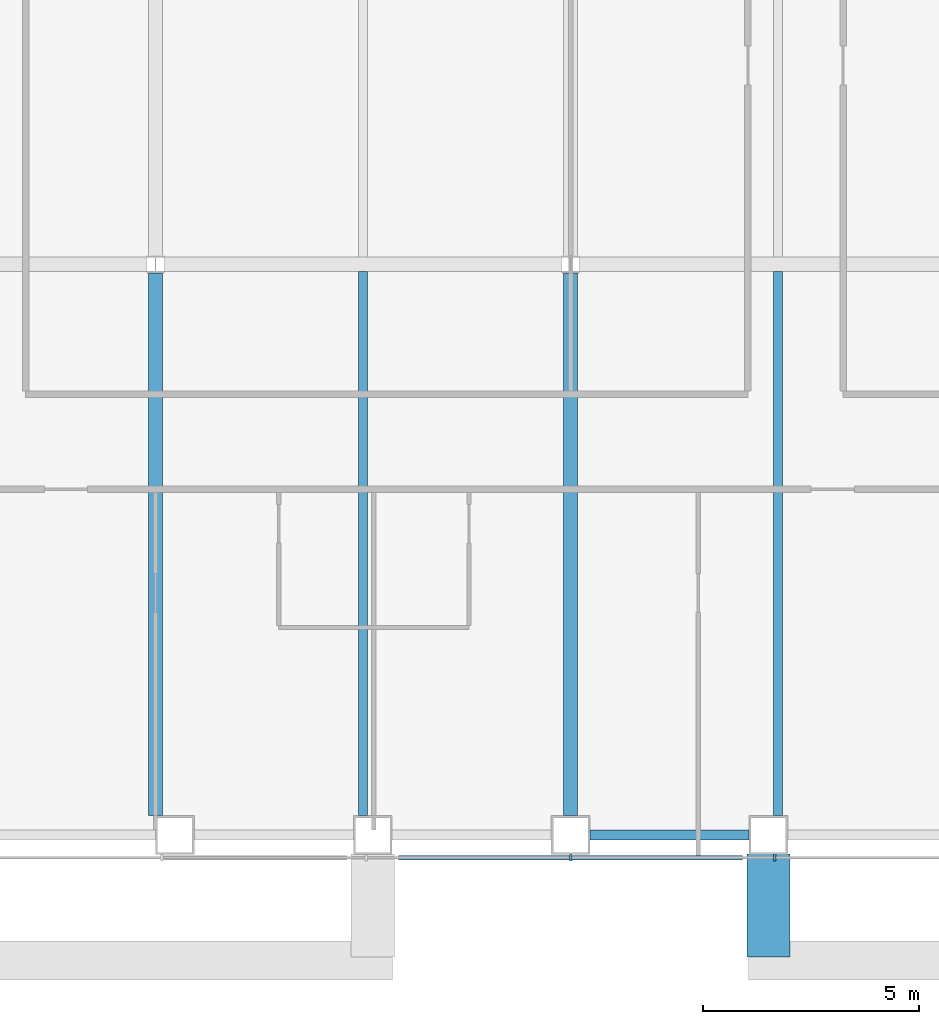
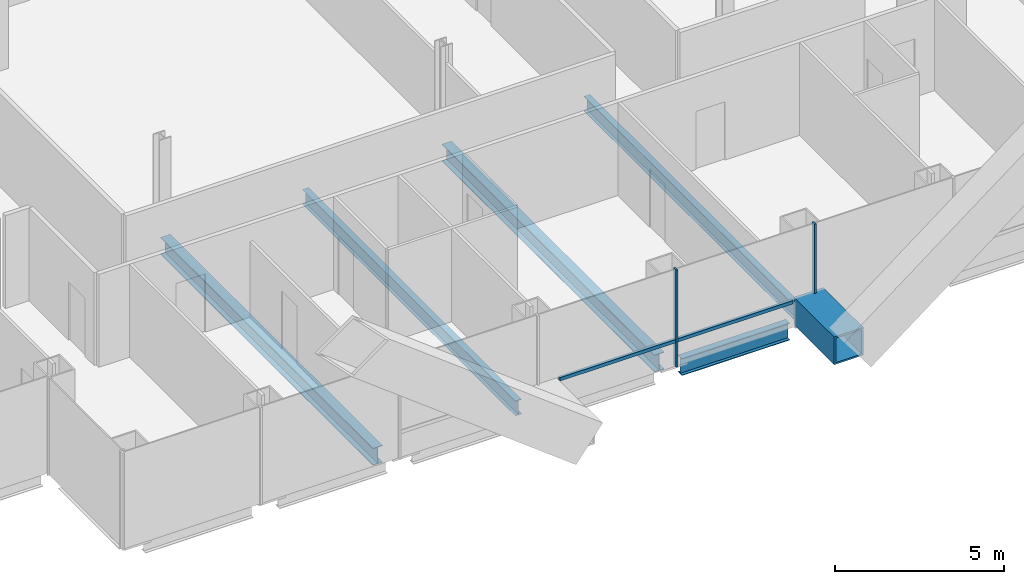
# One storey, part 3 of 17: 6 beams, 4 members, 1 element without a shape of its own.
"""IFC4 building model written with IfcOpenShell, lengths in metres."""

from ifc_helpers import new_model, si_unit, direction, frame, origin, origin_2d, place, context, subcontext, project, spatial, rectangle, hollow_rectangle, i_section, extrude, material, material_profile, profile_set, type_object, element, aggregate, save


model = new_model("IFC4")

# Units and contexts
model_context = context("Model", 3, precision=1e-05, world=origin(), true_north=direction((0.0, 1.0)))
body_context = subcontext(model_context, "Body", "Model", "MODEL_VIEW")
ifc_project = project(units=[si_unit("LENGTHUNIT", "METRE"), si_unit("AREAUNIT", "SQUARE_METRE"), si_unit("VOLUMEUNIT", "CUBIC_METRE"), si_unit("PLANEANGLEUNIT", "RADIAN"), si_unit("MASSUNIT", "GRAM", prefix="KILO")], contexts=[model_context])

# Site, building, storey
site_placement = place(None, origin())
site = spatial("IfcSite", under=ifc_project, at=site_placement, CompositionType="ELEMENT")
building_placement = place(site_placement, origin())
building = spatial("IfcBuilding", under=site, at=building_placement, Name="Cobrizo Arcos Hotel Tower", CompositionType="ELEMENT")
storey_placement = place(building_placement, frame((0.0, 0.0, 106.5)))
storey = spatial("IfcBuildingStorey", under=building, at=storey_placement, Name="L26", CompositionType="ELEMENT", Elevation=106.5)

# Beam
ifc_material_1 = material(Name="Steel ASTM A572 Grade 50", Category="steel")
ifc_material_profile_1 = material_profile(ifc_material_1, hollow_rectangle(XDim=1.0, YDim=1.0, WallThickness=0.06005859375, at=origin_2d()), Name="BOX 1000X1000X60")
ifc_profile_set_1 = profile_set([ifc_material_profile_1], Name="Steel ASTM A572 Grade 50")
beam_type_1 = type_object("IfcBeamType", Name="BOX 1000X1000X60 brace connector strut", PredefinedType="BEAM", material=ifc_profile_set_1)
beam_1_placement = place(storey_placement, frame((4.574951171875, -23.239990234375, 0.5), z_axis=(0.0, -1.0, 0.0), x_axis=(1.0, 0.0, 0.0)))
element("IfcBeam", 1, at=beam_1_placement, inside=storey, type_object=beam_type_1, Name="Perimeter brace stub BS1, zone Z2, south face, offset +4.58 m, L26", PredefinedType="BEAM", context=body_context, shape_type="SweptSolid", body=[
    extrude(hollow_rectangle(XDim=1.0, YDim=1.0, WallThickness=0.06005859375, at=origin_2d()), origin(), (0.0, 0.0, 1.0), 2.380126953125),
])

# Curtain wall, members
ifc_material_2 = material(Name="Aluminium 6063-T6 anodised bronze", Category="aluminium")
curtain_wall_type = type_object("IfcCurtainWallType", Name="CW-A guest facade", PredefinedType="NOTDEFINED", material=ifc_material_2)
curtain_wall_placement = place(storey_placement, origin())
curtain_wall = element("IfcCurtainWall", 2, at=curtain_wall_placement, inside=storey, type_object=curtain_wall_type, Name="CW-A L26 S face", PredefinedType="NOTDEFINED")
ifc_material_profile_2 = material_profile(ifc_material_2, rectangle(XDim=0.14990234375, YDim=0.06005859375, at=origin_2d()), Name="CW-A mullion 150x60")
ifc_profile_set_2 = profile_set([ifc_material_profile_2], Name="Aluminium 6063-T6 anodised bronze")
member_type_1 = type_object("IfcMemberType", Name="CW-A mullion 150x60", PredefinedType="MULLION", material=ifc_profile_set_2)
member_1_placement = place(storey_placement, frame((0.0, -23.324951171875, 0.0), z_axis=(0.0, 0.0, 1.0), x_axis=(0.0, -1.0, 0.0)))
member_1 = element("IfcMember", 3, at=member_1_placement, type_object=member_type_1, Name="CW-A mullion 5", PredefinedType="MULLION", context=body_context, shape_type="SweptSolid", body=[
    extrude(rectangle(XDim=0.14990234375, YDim=0.06005859375, at=origin_2d()), origin(), (0.0, 0.0, 1.0), 3.5),
])
member_2_placement = place(storey_placement, frame((4.72509765625, -23.324951171875, 0.0), z_axis=(0.0, 0.0, 1.0), x_axis=(0.0, -1.0, 0.0)))
member_2 = element("IfcMember", 4, at=member_2_placement, type_object=member_type_1, Name="CW-A mullion 6", PredefinedType="MULLION", context=body_context, shape_type="SweptSolid", body=[
    extrude(rectangle(XDim=0.14990234375, YDim=0.06005859375, at=origin_2d()), origin(), (0.0, 0.0, 1.0), 3.5),
])
ifc_material_profile_3 = material_profile(ifc_material_2, rectangle(XDim=0.10009765625, YDim=0.1201171875, at=origin_2d()), Name="CW-A transom 120x100")
ifc_profile_set_3 = profile_set([ifc_material_profile_3], Name="Aluminium 6063-T6 anodised bronze")
member_type_2 = type_object("IfcMemberType", Name="CW-A transom 120x100", PredefinedType="USERDEFINED", material=ifc_profile_set_3)
member_3_placement = place(storey_placement, frame((-3.97509765625, -23.324951171875, 0.929931640625), z_axis=(1.0, 0.0, 0.0), x_axis=(0.0, 1.0, 0.0)))
member_3 = element("IfcMember", 5, at=member_3_placement, type_object=member_type_2, Name="CW-A transom 1014", ObjectType="TRANSOM", PredefinedType="USERDEFINED", context=body_context, shape_type="SweptSolid", body=[
    extrude(rectangle(XDim=0.10009765625, YDim=0.1201171875, at=origin_2d()), origin(), (0.0, 0.0, 1.0), 3.945068359375),
])
member_4_placement = place(storey_placement, frame((0.030029296875, -23.324951171875, 0.929931640625), z_axis=(1.0, 0.0, 0.0), x_axis=(0.0, 1.0, 0.0)))
member_4 = element("IfcMember", 6, at=member_4_placement, type_object=member_type_2, Name="CW-A transom 1015", ObjectType="TRANSOM", PredefinedType="USERDEFINED", context=body_context, shape_type="SweptSolid", body=[
    extrude(rectangle(XDim=0.10009765625, YDim=0.1201171875, at=origin_2d()), origin(), (0.0, 0.0, 1.0), 3.945068359375),
])
aggregate(curtain_wall, [member_1, member_2, member_3, member_4])

# Beams
ifc_material_3 = material(Name="Steel ASTM A992 Grade 50", Category="steel")
ifc_material_profile_4 = material_profile(ifc_material_3, i_section(OverallWidth=0.209228515625, OverallDepth=0.533447265625, WebThickness=0.01025390625, FlangeThickness=0.015625, at=origin_2d()), Name="W21X62")
ifc_profile_set_4 = profile_set([ifc_material_profile_4], Name="Steel ASTM A992 Grade 50")
beam_type_2 = type_object("IfcBeamType", Name="W21X62 joist", PredefinedType="JOIST", material=ifc_profile_set_4)
for number, where, z_axis, x_axis, name in (
    (7, (-4.800048828125, -22.35009765625, -0.416748046875), (0.0, 1.0, 0.0), (-1.0, 0.0, 0.0), "Floor joist J1, L26, no. 007"),
    (8, (4.800048828125, -22.35009765625, -0.416748046875), (0.0, 1.0, 0.0), (-1.0, 0.0, 0.0), "Floor joist J1, L26, no. 011"),
):
    element("IfcBeam", number, at=place(storey_placement, frame(where, z_axis=z_axis, x_axis=x_axis)), inside=storey, type_object=beam_type_2, Name=name, PredefinedType="JOIST", context=body_context, shape_type="SweptSolid", body=[
        extrude(i_section(OverallWidth=0.209228515625, OverallDepth=0.533447265625, WebThickness=0.01025390625, FlangeThickness=0.015625, at=origin_2d()), origin(), (0.0, 0.0, 1.0), 12.586181640625),
    ])
ifc_material_profile_5 = material_profile(ifc_material_3, i_section(OverallWidth=0.32763671875, OverallDepth=0.622314453125, WebThickness=0.015380859375, FlangeThickness=0.0244140625, at=origin_2d()), Name="W24X131")
ifc_profile_set_5 = profile_set([ifc_material_profile_5], Name="Steel ASTM A992 Grade 50")
beam_type_3 = type_object("IfcBeamType", Name="W24X131 girder", PredefinedType="BEAM", material=ifc_profile_set_5)
for number, where, z_axis, x_axis, name in (
    (9, (-9.60009765625, -22.35009765625, -0.461181640625), (0.0, 1.0, 0.0), (-1.0, 0.0, 0.0), "Floor girder G1, L26, no. 013"),
    (10, (0.0, -22.35009765625, -0.461181640625), (0.0, 1.0, 0.0), (-1.0, 0.0, 0.0), "Floor girder G1, L26, no. 017"),
):
    element("IfcBeam", number, at=place(storey_placement, frame(where, z_axis=z_axis, x_axis=x_axis)), inside=storey, type_object=beam_type_3, Name=name, PredefinedType="BEAM", context=body_context, shape_type="SweptSolid", body=[
        extrude(i_section(OverallWidth=0.32763671875, OverallDepth=0.622314453125, WebThickness=0.015380859375, FlangeThickness=0.0244140625, at=origin_2d()), origin(), (0.0, 0.0, 1.0), 12.55078125),
    ])
ifc_material_profile_6 = material_profile(ifc_material_3, i_section(OverallWidth=0.23046875, OverallDepth=0.6171875, WebThickness=0.01318359375, FlangeThickness=0.022216796875, at=origin_2d()), Name="W24X94")
ifc_profile_set_6 = profile_set([ifc_material_profile_6], Name="Steel ASTM A992 Grade 50")
beam_type_4 = type_object("IfcBeamType", Name="W24X94 spandrel", PredefinedType="SPANDREL", material=ifc_profile_set_6)
beam_2_placement = place(storey_placement, frame((0.449951171875, -22.800048828125, -0.45849609375), z_axis=(1.0, 0.0, 0.0), x_axis=(0.0, 1.0, 0.0)))
element("IfcBeam", 11, at=beam_2_placement, inside=storey, type_object=beam_type_4, Name="Spandrel beam W24X94, L26, no. 005", PredefinedType="SPANDREL", context=body_context, shape_type="SweptSolid", body=[
    extrude(i_section(OverallWidth=0.23046875, OverallDepth=0.6171875, WebThickness=0.01318359375, FlangeThickness=0.022216796875, at=origin_2d()), origin(), (0.0, 0.0, 1.0), 3.675048828125),
])

save(model, "model.ifc")
